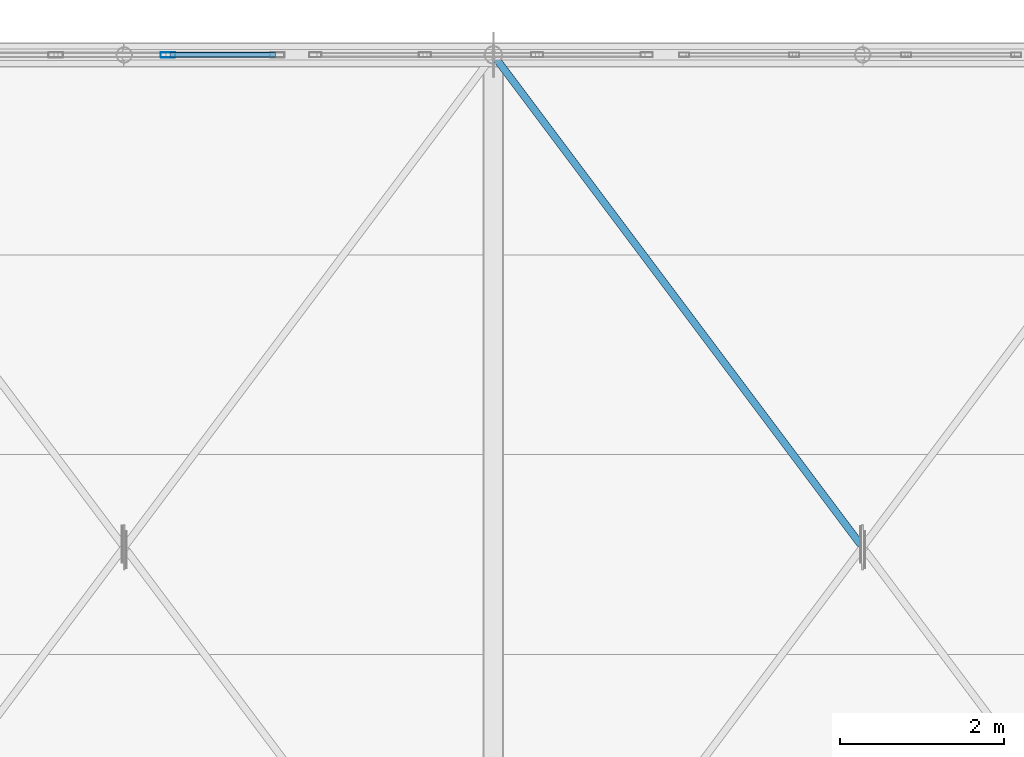
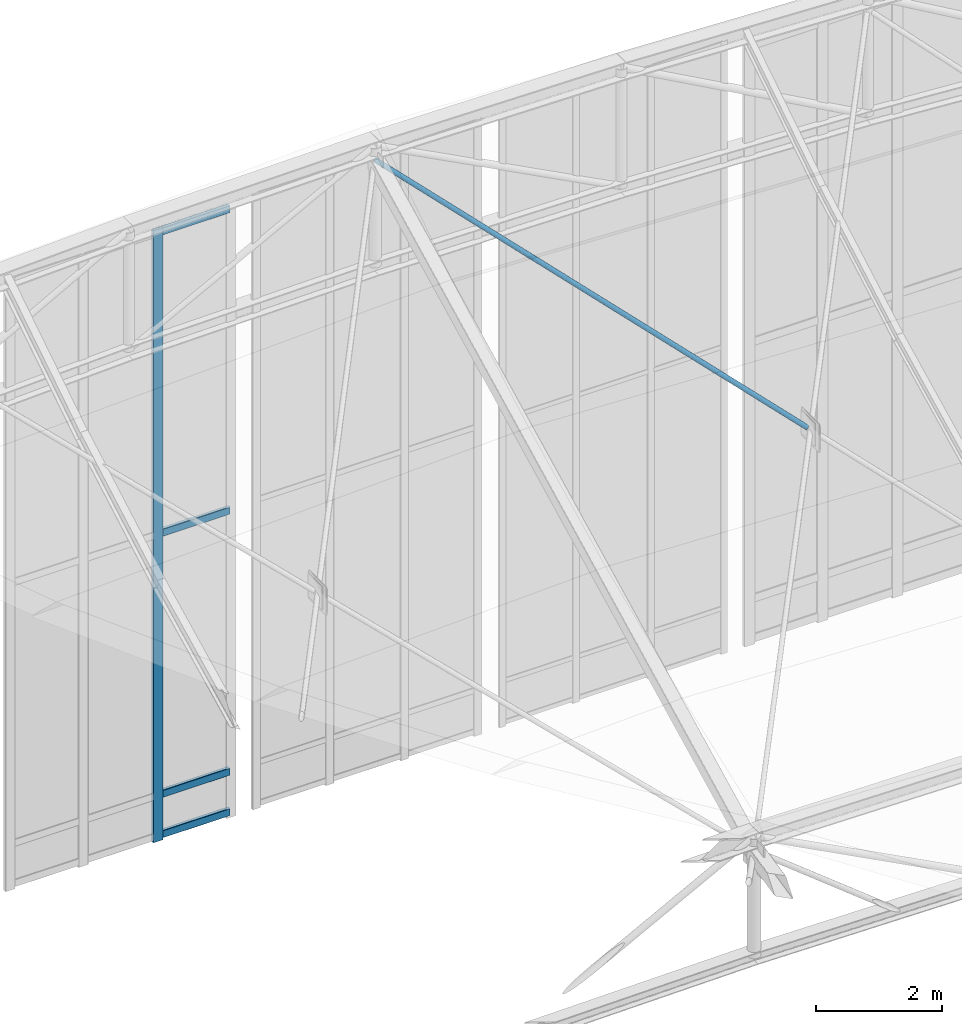
# One storey, part 192 of 262: 6 members, 1 element without a shape of its own.
"""IFC4 building model written with IfcOpenShell, lengths in metres."""

from ifc_helpers import new_model, si_unit, derived_unit, direction, frame, origin, origin_2d, place, context, subcontext, project, spatial, hollow_rectangle, hollow_circle, extrude, material, layer, layer_set, material_profile, profile_set, type_object, element, aggregate, save


model = new_model("IFC4")

# Units and contexts
model_context = context("Model", 3, precision=1e-05, world=origin(), true_north=direction((0.0, 1.0)))
body_context = subcontext(model_context, "Body", "Model", "MODEL_VIEW")
ifc_project = project(units=[si_unit("LENGTHUNIT", "METRE"), si_unit("AREAUNIT", "SQUARE_METRE"), si_unit("VOLUMEUNIT", "CUBIC_METRE"), si_unit("PLANEANGLEUNIT", "RADIAN"), si_unit("MASSUNIT", "GRAM", prefix="KILO"), derived_unit("THERMALTRANSMITTANCEUNIT", [(si_unit("POWERUNIT", "WATT"), 1), (si_unit("LENGTHUNIT", "METRE"), -2), (si_unit("THERMODYNAMICTEMPERATUREUNIT", "KELVIN"), -1)])], contexts=[model_context])

# Site, building, storey
site_placement = place(None, origin())
site = spatial("IfcSite", under=ifc_project, at=site_placement, CompositionType="ELEMENT")
building_placement = place(site_placement, origin())
building = spatial("IfcBuilding", under=site, at=building_placement, Name="Almenara Railside Exhibition Hall", CompositionType="ELEMENT")
storey_placement = place(building_placement, frame((0.0, 0.0, 21.699951171875)))
storey = spatial("IfcBuildingStorey", under=building, at=storey_placement, Name="RF", CompositionType="ELEMENT", Elevation=21.699951171875)

# Member
ifc_material_1 = material(Name="Structural steel S355JR", Category="steel")
ifc_material_profile_1 = material_profile(ifc_material_1, hollow_circle(Radius=0.04443359375, WallThickness=0.00390625, at=origin_2d()), Name="CHS 88.9x4")
ifc_profile_set_1 = profile_set([ifc_material_profile_1], Name="Structural steel S355JR")
member_type_1 = type_object("IfcMemberType", Name="Canopy Tie Brace CHS 88.9x4 S355JR", PredefinedType="BRACE", material=ifc_profile_set_1)
member_1_placement = place(storey_placement, frame((43.47314453125, 126.03564453125, 7.687255859375), z_axis=(-0.553138359931, 0.737537939806, 0.387396104936), x_axis=(-0.800007859198, -0.599989520926, 0.0)))
element("IfcMember", 1, at=member_1_placement, inside=storey, type_object=member_type_1, Name="MEM-WB-V1-WB-CHS89-06-06-S2", PredefinedType="BRACE", context=body_context, shape_type="SweptSolid", body=[
    extrude(hollow_circle(Radius=0.04443359375, WallThickness=0.00390625, at=origin_2d()), origin(), (0.0, 0.0, 1.0), 8.0869140625),
])

# Curtain wall, members
ifc_material_2 = material(Name="Bronze-anodised aluminium and low-E double glazing", Category="aluminium")
ifc_layer = layer(ifc_material_2, 0.179931640625, Name="Bronze-anodised aluminium and low-E double glazing")
ifc_layer_set = layer_set([ifc_layer], Name="Bronze-anodised aluminium and low-E double glazing")
curtain_wall_type = type_object("IfcCurtainWallType", Name="Scroll Gable Tall Curtain Wall 3800x5400", PredefinedType="NOTDEFINED", material=ifc_layer_set)
curtain_wall_placement = place(storey_placement, origin())
curtain_wall = element("IfcCurtainWall", 2, at=curtain_wall_placement, inside=storey, type_object=curtain_wall_type, Name="Curtain wall CW-G1-209", PredefinedType="NOTDEFINED")
ifc_material_3 = material(Name="Bronze-anodised aluminium", Category="aluminium")
ifc_material_profile_2 = material_profile(ifc_material_3, hollow_rectangle(XDim=0.06494140625, YDim=0.179931640625, WallThickness=0.00390625, InnerFilletRadius=0.00390625, OuterFilletRadius=0.008056640625, at=origin_2d()), Name="ALU-MUL 65x180x4")
ifc_profile_set_2 = profile_set([ifc_material_profile_2], Name="Bronze-anodised aluminium")
member_type_2 = type_object("IfcMemberType", Name="Curtain Wall Mullion 65x180x4", PredefinedType="MULLION", material=ifc_profile_set_2)
member_2_placement = place(storey_placement, frame((35.033447265625, 132.0, -0.93505859375), z_axis=(0.0, 0.0, 1.0), x_axis=(0.0, 1.0, 0.0)))
member_2 = element("IfcMember", 3, at=member_2_placement, type_object=member_type_2, Name="CW-G1-209 mullion 3", PredefinedType="MULLION", context=body_context, shape_type="SweptSolid", body=[
    extrude(hollow_rectangle(XDim=0.06494140625, YDim=0.179931640625, WallThickness=0.00390625, InnerFilletRadius=0.00390625, OuterFilletRadius=0.008056640625, at=origin_2d()), origin(), (0.0, 0.0, 1.0), 11.815185546875),
])
ifc_material_profile_3 = material_profile(ifc_material_3, hollow_rectangle(XDim=0.06494140625, YDim=0.139892578125, WallThickness=0.00341796875, InnerFilletRadius=0.00341796875, OuterFilletRadius=0.007080078125, at=origin_2d()), Name="ALU-TRN 65x140x3.5")
ifc_profile_set_3 = profile_set([ifc_material_profile_3], Name="Bronze-anodised aluminium")
member_type_3 = type_object("IfcMemberType", Name="Curtain Wall Transom 65x140x3.5", PredefinedType="USERDEFINED", material=ifc_profile_set_3)
member_3_placement = place(storey_placement, frame((35.057861328125, 132.0, -0.829833984375), z_axis=(1.0, 0.0, 0.0), x_axis=(0.0, 1.0, 0.0)))
member_3 = element("IfcMember", 4, at=member_3_placement, type_object=member_type_3, Name="CW-G1-209 transom 3.1", ObjectType="TRANSOM", PredefinedType="USERDEFINED", context=body_context, shape_type="SweptSolid", body=[
    extrude(hollow_rectangle(XDim=0.06494140625, YDim=0.139892578125, WallThickness=0.00341796875, InnerFilletRadius=0.00341796875, OuterFilletRadius=0.007080078125, at=origin_2d()), origin(), (0.0, 0.0, 1.0), 1.28515625),
])
member_4_placement = place(storey_placement, frame((35.057861328125, 132.0, -0.050048828125), z_axis=(1.0, 0.0, 0.0), x_axis=(0.0, 1.0, 0.0)))
member_4 = element("IfcMember", 5, at=member_4_placement, type_object=member_type_3, Name="CW-G1-209 transom 3.2", ObjectType="TRANSOM", PredefinedType="USERDEFINED", context=body_context, shape_type="SweptSolid", body=[
    extrude(hollow_rectangle(XDim=0.06494140625, YDim=0.139892578125, WallThickness=0.00341796875, InnerFilletRadius=0.00341796875, OuterFilletRadius=0.007080078125, at=origin_2d()), origin(), (0.0, 0.0, 1.0), 1.28515625),
])
member_5_placement = place(storey_placement, frame((35.057861328125, 132.0, 4.989990234375), z_axis=(1.0, 0.0, 0.0), x_axis=(0.0, 1.0, 0.0)))
member_5 = element("IfcMember", 6, at=member_5_placement, type_object=member_type_3, Name="CW-G1-209 transom 3.3", ObjectType="TRANSOM", PredefinedType="USERDEFINED", context=body_context, shape_type="SweptSolid", body=[
    extrude(hollow_rectangle(XDim=0.06494140625, YDim=0.139892578125, WallThickness=0.00341796875, InnerFilletRadius=0.00341796875, OuterFilletRadius=0.007080078125, at=origin_2d()), origin(), (0.0, 0.0, 1.0), 1.28515625),
])
member_6_placement = place(storey_placement, frame((35.057861328125, 132.0, 10.81005859375), z_axis=(1.0, 0.0, 0.0), x_axis=(0.0, 1.0, 0.0)))
member_6 = element("IfcMember", 7, at=member_6_placement, type_object=member_type_3, Name="CW-G1-209 transom 3.4", ObjectType="TRANSOM", PredefinedType="USERDEFINED", context=body_context, shape_type="SweptSolid", body=[
    extrude(hollow_rectangle(XDim=0.06494140625, YDim=0.139892578125, WallThickness=0.00341796875, InnerFilletRadius=0.00341796875, OuterFilletRadius=0.007080078125, at=origin_2d()), origin(), (0.0, 0.0, 1.0), 1.28515625),
])
aggregate(curtain_wall, [member_2, member_3, member_4, member_5, member_6])

save(model, "model.ifc")
